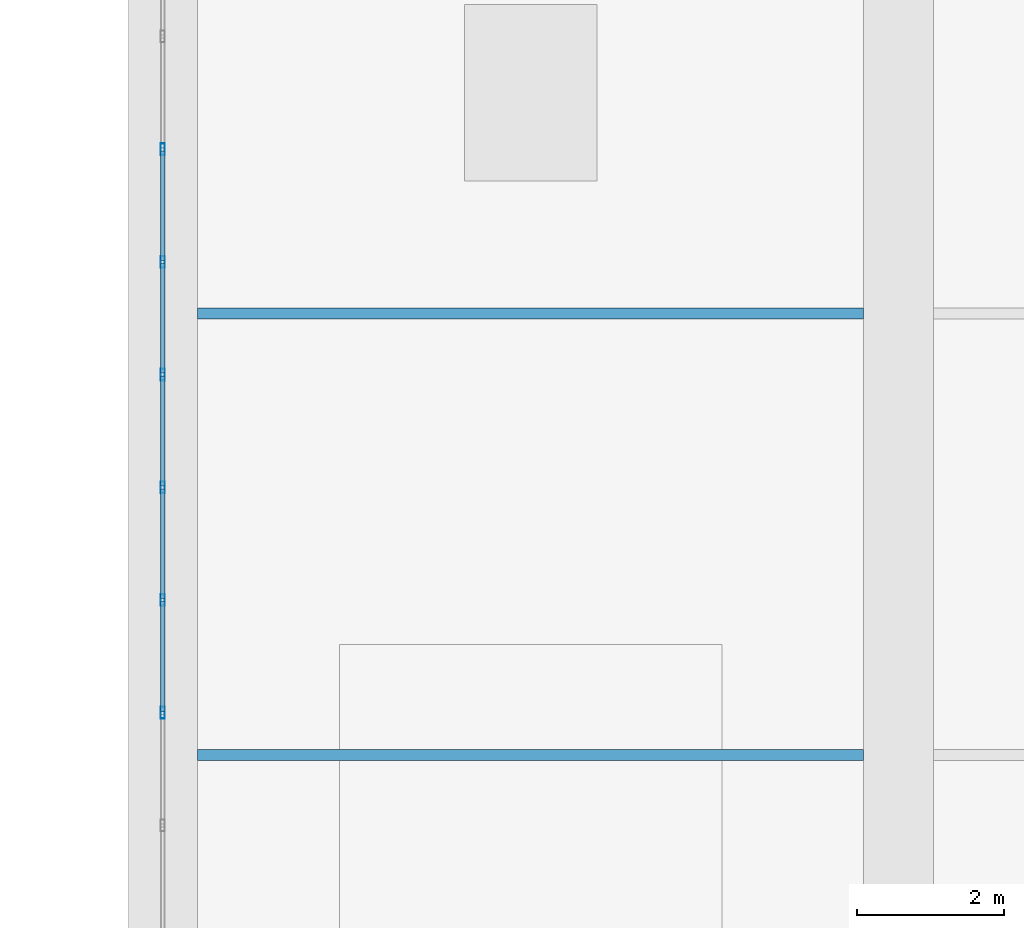
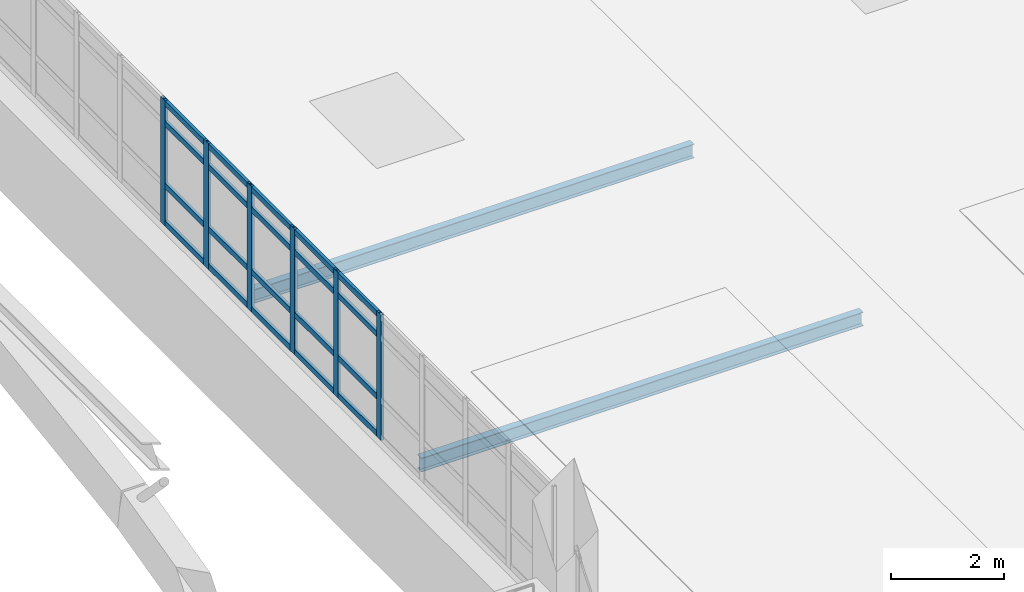
# One storey, part 43 of 161: 26 members, 2 beams, 1 element without a shape of its own.
"""IFC4 building model written with IfcOpenShell, lengths in metres."""

from ifc_helpers import new_model, si_unit, direction, frame, origin, origin_2d, place, context, subcontext, project, spatial, hollow_rectangle, i_section, extrude, material, layer, layer_set, material_profile, profile_set, type_object, element, aggregate, save


model = new_model("IFC4")

# Units and contexts
model_context = context("Model", 3, precision=1e-05, world=origin(), true_north=direction((0.0, 1.0)))
body_context = subcontext(model_context, "Body", "Model", "MODEL_VIEW")
ifc_project = project(units=[si_unit("LENGTHUNIT", "METRE"), si_unit("AREAUNIT", "SQUARE_METRE"), si_unit("VOLUMEUNIT", "CUBIC_METRE"), si_unit("PLANEANGLEUNIT", "RADIAN"), si_unit("MASSUNIT", "GRAM", prefix="KILO")], contexts=[model_context])

# Site, building, storey
site_placement = place(None, origin())
site = spatial("IfcSite", under=ifc_project, at=site_placement, CompositionType="ELEMENT")
building_placement = place(site_placement, origin())
building = spatial("IfcBuilding", under=site, at=building_placement, Name="Mersad Railyard Sports Hall", CompositionType="ELEMENT")
storey_placement = place(building_placement, frame((0.0, 0.0, 4.800048828125)))
storey = spatial("IfcBuildingStorey", under=building, at=storey_placement, Name="L01", CompositionType="ELEMENT", Elevation=4.800048828125)

# Curtain wall, members
ifc_material_1 = material(Name="Aluminium 6063-T6", Category="aluminium")
ifc_layer = layer(ifc_material_1, 0.159912109375)
ifc_layer_set = layer_set([ifc_layer], Name="Aluminium 6063-T6")
curtain_wall_type = type_object("IfcCurtainWallType", Name="ARC-CW-CW05", PredefinedType="USERDEFINED", material=ifc_layer_set)
curtain_wall_placement = place(storey_placement, origin())
curtain_wall = element("IfcCurtainWall", 1, at=curtain_wall_placement, inside=storey, type_object=curtain_wall_type, Name="Curtain wall CW05-0027", ObjectType="CURTAIN WALL", PredefinedType="USERDEFINED")
ifc_material_profile_1 = material_profile(ifc_material_1, hollow_rectangle(XDim=0.06005859375, YDim=0.159912109375, WallThickness=0.00390625, at=origin_2d()), Name="AL MULLION 60x160x4")
ifc_profile_set_1 = profile_set([ifc_material_profile_1], Name="Aluminium 6063-T6")
member_type_1 = type_object("IfcMemberType", Name="ARC-CW-MUL01", PredefinedType="MULLION", material=ifc_profile_set_1)
member_1_placement = place(storey_placement, frame((91.0, 27.73388671875, -0.02001953125), z_axis=(0.0, 0.0, 1.0), x_axis=(1.0, 0.0, 0.0)))
member_1 = element("IfcMember", 2, at=member_1_placement, type_object=member_type_1, Name="CW05 Mullion 11", PredefinedType="MULLION", context=body_context, shape_type="SweptSolid", body=[
    extrude(hollow_rectangle(XDim=0.06005859375, YDim=0.159912109375, WallThickness=0.00390625, at=origin_2d()), origin(), (0.0, 0.0, 1.0), 2.719970703125),
])
member_2_placement = place(storey_placement, frame((91.0, 26.201904296875, -0.02001953125), z_axis=(0.0, 0.0, 1.0), x_axis=(1.0, 0.0, 0.0)))
member_2 = element("IfcMember", 3, at=member_2_placement, type_object=member_type_1, Name="CW05 Mullion 12", PredefinedType="MULLION", context=body_context, shape_type="SweptSolid", body=[
    extrude(hollow_rectangle(XDim=0.06005859375, YDim=0.159912109375, WallThickness=0.00390625, at=origin_2d()), origin(), (0.0, 0.0, 1.0), 2.719970703125),
])
member_3_placement = place(storey_placement, frame((91.0, 24.669677734375, -0.02001953125), z_axis=(0.0, 0.0, 1.0), x_axis=(1.0, 0.0, 0.0)))
member_3 = element("IfcMember", 4, at=member_3_placement, type_object=member_type_1, Name="CW05 Mullion 13", PredefinedType="MULLION", context=body_context, shape_type="SweptSolid", body=[
    extrude(hollow_rectangle(XDim=0.06005859375, YDim=0.159912109375, WallThickness=0.00390625, at=origin_2d()), origin(), (0.0, 0.0, 1.0), 2.719970703125),
])
member_4_placement = place(storey_placement, frame((91.0, 23.1376953125, -0.02001953125), z_axis=(0.0, 0.0, 1.0), x_axis=(1.0, 0.0, 0.0)))
member_4 = element("IfcMember", 5, at=member_4_placement, type_object=member_type_1, Name="CW05 Mullion 14", PredefinedType="MULLION", context=body_context, shape_type="SweptSolid", body=[
    extrude(hollow_rectangle(XDim=0.06005859375, YDim=0.159912109375, WallThickness=0.00390625, at=origin_2d()), origin(), (0.0, 0.0, 1.0), 2.719970703125),
])
member_5_placement = place(storey_placement, frame((91.0, 21.60546875, -0.02001953125), z_axis=(0.0, 0.0, 1.0), x_axis=(1.0, 0.0, 0.0)))
member_5 = element("IfcMember", 6, at=member_5_placement, type_object=member_type_1, Name="CW05 Mullion 15", PredefinedType="MULLION", context=body_context, shape_type="SweptSolid", body=[
    extrude(hollow_rectangle(XDim=0.06005859375, YDim=0.159912109375, WallThickness=0.00390625, at=origin_2d()), origin(), (0.0, 0.0, 1.0), 2.719970703125),
])
member_6_placement = place(storey_placement, frame((91.0, 20.073486328125, -0.02001953125), z_axis=(0.0, 0.0, 1.0), x_axis=(1.0, 0.0, 0.0)))
member_6 = element("IfcMember", 7, at=member_6_placement, type_object=member_type_1, Name="CW05 Mullion 16", PredefinedType="MULLION", context=body_context, shape_type="SweptSolid", body=[
    extrude(hollow_rectangle(XDim=0.06005859375, YDim=0.159912109375, WallThickness=0.00390625, at=origin_2d()), origin(), (0.0, 0.0, 1.0), 2.719970703125),
])
ifc_material_profile_2 = material_profile(ifc_material_1, hollow_rectangle(XDim=0.06005859375, YDim=0.1201171875, WallThickness=0.00390625, at=origin_2d()), Name="AL TRANSOM 60x120x4")
ifc_profile_set_2 = profile_set([ifc_material_profile_2], Name="Aluminium 6063-T6")
member_type_2 = type_object("IfcMemberType", Name="ARC-CW-TRN01", PredefinedType="USERDEFINED", material=ifc_profile_set_2)
member_7_placement = place(storey_placement, frame((91.0, 27.7138671875, 0.0400390625), z_axis=(0.0, -1.0, 0.0), x_axis=(1.0, 0.0, 0.0)))
member_7 = element("IfcMember", 8, at=member_7_placement, type_object=member_type_2, Name="CW05 Transom 1-11", ObjectType="TRANSOM", PredefinedType="USERDEFINED", context=body_context, shape_type="SweptSolid", body=[
    extrude(hollow_rectangle(XDim=0.06005859375, YDim=0.1201171875, WallThickness=0.00390625, at=origin_2d()), origin(), (0.0, 0.0, 1.0), 1.491943359375),
])
member_8_placement = place(storey_placement, frame((91.0, 26.181884765625, 0.0400390625), z_axis=(0.0, -1.0, 0.0), x_axis=(1.0, 0.0, 0.0)))
member_8 = element("IfcMember", 9, at=member_8_placement, type_object=member_type_2, Name="CW05 Transom 1-12", ObjectType="TRANSOM", PredefinedType="USERDEFINED", context=body_context, shape_type="SweptSolid", body=[
    extrude(hollow_rectangle(XDim=0.06005859375, YDim=0.1201171875, WallThickness=0.00390625, at=origin_2d()), origin(), (0.0, 0.0, 1.0), 1.4921875),
])
member_9_placement = place(storey_placement, frame((91.0, 24.649658203125, 0.0400390625), z_axis=(0.0, -1.0, 0.0), x_axis=(1.0, 0.0, 0.0)))
member_9 = element("IfcMember", 10, at=member_9_placement, type_object=member_type_2, Name="CW05 Transom 1-13", ObjectType="TRANSOM", PredefinedType="USERDEFINED", context=body_context, shape_type="SweptSolid", body=[
    extrude(hollow_rectangle(XDim=0.06005859375, YDim=0.1201171875, WallThickness=0.00390625, at=origin_2d()), origin(), (0.0, 0.0, 1.0), 1.491943359375),
])
member_10_placement = place(storey_placement, frame((91.0, 23.11767578125, 0.0400390625), z_axis=(0.0, -1.0, 0.0), x_axis=(1.0, 0.0, 0.0)))
member_10 = element("IfcMember", 11, at=member_10_placement, type_object=member_type_2, Name="CW05 Transom 1-14", ObjectType="TRANSOM", PredefinedType="USERDEFINED", context=body_context, shape_type="SweptSolid", body=[
    extrude(hollow_rectangle(XDim=0.06005859375, YDim=0.1201171875, WallThickness=0.00390625, at=origin_2d()), origin(), (0.0, 0.0, 1.0), 1.4921875),
])
member_11_placement = place(storey_placement, frame((91.0, 21.58544921875, 0.0400390625), z_axis=(0.0, -1.0, 0.0), x_axis=(1.0, 0.0, 0.0)))
member_11 = element("IfcMember", 12, at=member_11_placement, type_object=member_type_2, Name="CW05 Transom 1-15", ObjectType="TRANSOM", PredefinedType="USERDEFINED", context=body_context, shape_type="SweptSolid", body=[
    extrude(hollow_rectangle(XDim=0.06005859375, YDim=0.1201171875, WallThickness=0.00390625, at=origin_2d()), origin(), (0.0, 0.0, 1.0), 1.491943359375),
])
member_12_placement = place(storey_placement, frame((91.0, 27.7138671875, 0.849853515625), z_axis=(0.0, -1.0, 0.0), x_axis=(1.0, 0.0, 0.0)))
member_12 = element("IfcMember", 13, at=member_12_placement, type_object=member_type_2, Name="CW05 Transom 2-11", ObjectType="TRANSOM", PredefinedType="USERDEFINED", context=body_context, shape_type="SweptSolid", body=[
    extrude(hollow_rectangle(XDim=0.06005859375, YDim=0.1201171875, WallThickness=0.00390625, at=origin_2d()), origin(), (0.0, 0.0, 1.0), 1.491943359375),
])
member_13_placement = place(storey_placement, frame((91.0, 26.181884765625, 0.849853515625), z_axis=(0.0, -1.0, 0.0), x_axis=(1.0, 0.0, 0.0)))
member_13 = element("IfcMember", 14, at=member_13_placement, type_object=member_type_2, Name="CW05 Transom 2-12", ObjectType="TRANSOM", PredefinedType="USERDEFINED", context=body_context, shape_type="SweptSolid", body=[
    extrude(hollow_rectangle(XDim=0.06005859375, YDim=0.1201171875, WallThickness=0.00390625, at=origin_2d()), origin(), (0.0, 0.0, 1.0), 1.4921875),
])
member_14_placement = place(storey_placement, frame((91.0, 24.649658203125, 0.849853515625), z_axis=(0.0, -1.0, 0.0), x_axis=(1.0, 0.0, 0.0)))
member_14 = element("IfcMember", 15, at=member_14_placement, type_object=member_type_2, Name="CW05 Transom 2-13", ObjectType="TRANSOM", PredefinedType="USERDEFINED", context=body_context, shape_type="SweptSolid", body=[
    extrude(hollow_rectangle(XDim=0.06005859375, YDim=0.1201171875, WallThickness=0.00390625, at=origin_2d()), origin(), (0.0, 0.0, 1.0), 1.491943359375),
])
member_15_placement = place(storey_placement, frame((91.0, 23.11767578125, 0.849853515625), z_axis=(0.0, -1.0, 0.0), x_axis=(1.0, 0.0, 0.0)))
member_15 = element("IfcMember", 16, at=member_15_placement, type_object=member_type_2, Name="CW05 Transom 2-14", ObjectType="TRANSOM", PredefinedType="USERDEFINED", context=body_context, shape_type="SweptSolid", body=[
    extrude(hollow_rectangle(XDim=0.06005859375, YDim=0.1201171875, WallThickness=0.00390625, at=origin_2d()), origin(), (0.0, 0.0, 1.0), 1.4921875),
])
member_16_placement = place(storey_placement, frame((91.0, 21.58544921875, 0.849853515625), z_axis=(0.0, -1.0, 0.0), x_axis=(1.0, 0.0, 0.0)))
member_16 = element("IfcMember", 17, at=member_16_placement, type_object=member_type_2, Name="CW05 Transom 2-15", ObjectType="TRANSOM", PredefinedType="USERDEFINED", context=body_context, shape_type="SweptSolid", body=[
    extrude(hollow_rectangle(XDim=0.06005859375, YDim=0.1201171875, WallThickness=0.00390625, at=origin_2d()), origin(), (0.0, 0.0, 1.0), 1.491943359375),
])
member_17_placement = place(storey_placement, frame((91.0, 27.7138671875, 2.199951171875), z_axis=(0.0, -1.0, 0.0), x_axis=(1.0, 0.0, 0.0)))
member_17 = element("IfcMember", 18, at=member_17_placement, type_object=member_type_2, Name="CW05 Transom 3-11", ObjectType="TRANSOM", PredefinedType="USERDEFINED", context=body_context, shape_type="SweptSolid", body=[
    extrude(hollow_rectangle(XDim=0.06005859375, YDim=0.1201171875, WallThickness=0.00390625, at=origin_2d()), origin(), (0.0, 0.0, 1.0), 1.491943359375),
])
member_18_placement = place(storey_placement, frame((91.0, 26.181884765625, 2.199951171875), z_axis=(0.0, -1.0, 0.0), x_axis=(1.0, 0.0, 0.0)))
member_18 = element("IfcMember", 19, at=member_18_placement, type_object=member_type_2, Name="CW05 Transom 3-12", ObjectType="TRANSOM", PredefinedType="USERDEFINED", context=body_context, shape_type="SweptSolid", body=[
    extrude(hollow_rectangle(XDim=0.06005859375, YDim=0.1201171875, WallThickness=0.00390625, at=origin_2d()), origin(), (0.0, 0.0, 1.0), 1.4921875),
])
member_19_placement = place(storey_placement, frame((91.0, 24.649658203125, 2.199951171875), z_axis=(0.0, -1.0, 0.0), x_axis=(1.0, 0.0, 0.0)))
member_19 = element("IfcMember", 20, at=member_19_placement, type_object=member_type_2, Name="CW05 Transom 3-13", ObjectType="TRANSOM", PredefinedType="USERDEFINED", context=body_context, shape_type="SweptSolid", body=[
    extrude(hollow_rectangle(XDim=0.06005859375, YDim=0.1201171875, WallThickness=0.00390625, at=origin_2d()), origin(), (0.0, 0.0, 1.0), 1.491943359375),
])
member_20_placement = place(storey_placement, frame((91.0, 23.11767578125, 2.199951171875), z_axis=(0.0, -1.0, 0.0), x_axis=(1.0, 0.0, 0.0)))
member_20 = element("IfcMember", 21, at=member_20_placement, type_object=member_type_2, Name="CW05 Transom 3-14", ObjectType="TRANSOM", PredefinedType="USERDEFINED", context=body_context, shape_type="SweptSolid", body=[
    extrude(hollow_rectangle(XDim=0.06005859375, YDim=0.1201171875, WallThickness=0.00390625, at=origin_2d()), origin(), (0.0, 0.0, 1.0), 1.4921875),
])
member_21_placement = place(storey_placement, frame((91.0, 21.58544921875, 2.199951171875), z_axis=(0.0, -1.0, 0.0), x_axis=(1.0, 0.0, 0.0)))
member_21 = element("IfcMember", 22, at=member_21_placement, type_object=member_type_2, Name="CW05 Transom 3-15", ObjectType="TRANSOM", PredefinedType="USERDEFINED", context=body_context, shape_type="SweptSolid", body=[
    extrude(hollow_rectangle(XDim=0.06005859375, YDim=0.1201171875, WallThickness=0.00390625, at=origin_2d()), origin(), (0.0, 0.0, 1.0), 1.491943359375),
])
member_22_placement = place(storey_placement, frame((91.0, 27.7138671875, 2.639892578125), z_axis=(0.0, -1.0, 0.0), x_axis=(1.0, 0.0, 0.0)))
member_22 = element("IfcMember", 23, at=member_22_placement, type_object=member_type_2, Name="CW05 Transom 4-11", ObjectType="TRANSOM", PredefinedType="USERDEFINED", context=body_context, shape_type="SweptSolid", body=[
    extrude(hollow_rectangle(XDim=0.06005859375, YDim=0.1201171875, WallThickness=0.00390625, at=origin_2d()), origin(), (0.0, 0.0, 1.0), 1.491943359375),
])
member_23_placement = place(storey_placement, frame((91.0, 26.181884765625, 2.639892578125), z_axis=(0.0, -1.0, 0.0), x_axis=(1.0, 0.0, 0.0)))
member_23 = element("IfcMember", 24, at=member_23_placement, type_object=member_type_2, Name="CW05 Transom 4-12", ObjectType="TRANSOM", PredefinedType="USERDEFINED", context=body_context, shape_type="SweptSolid", body=[
    extrude(hollow_rectangle(XDim=0.06005859375, YDim=0.1201171875, WallThickness=0.00390625, at=origin_2d()), origin(), (0.0, 0.0, 1.0), 1.4921875),
])
member_24_placement = place(storey_placement, frame((91.0, 24.649658203125, 2.639892578125), z_axis=(0.0, -1.0, 0.0), x_axis=(1.0, 0.0, 0.0)))
member_24 = element("IfcMember", 25, at=member_24_placement, type_object=member_type_2, Name="CW05 Transom 4-13", ObjectType="TRANSOM", PredefinedType="USERDEFINED", context=body_context, shape_type="SweptSolid", body=[
    extrude(hollow_rectangle(XDim=0.06005859375, YDim=0.1201171875, WallThickness=0.00390625, at=origin_2d()), origin(), (0.0, 0.0, 1.0), 1.491943359375),
])
member_25_placement = place(storey_placement, frame((91.0, 23.11767578125, 2.639892578125), z_axis=(0.0, -1.0, 0.0), x_axis=(1.0, 0.0, 0.0)))
member_25 = element("IfcMember", 26, at=member_25_placement, type_object=member_type_2, Name="CW05 Transom 4-14", ObjectType="TRANSOM", PredefinedType="USERDEFINED", context=body_context, shape_type="SweptSolid", body=[
    extrude(hollow_rectangle(XDim=0.06005859375, YDim=0.1201171875, WallThickness=0.00390625, at=origin_2d()), origin(), (0.0, 0.0, 1.0), 1.4921875),
])
member_26_placement = place(storey_placement, frame((91.0, 21.58544921875, 2.639892578125), z_axis=(0.0, -1.0, 0.0), x_axis=(1.0, 0.0, 0.0)))
member_26 = element("IfcMember", 27, at=member_26_placement, type_object=member_type_2, Name="CW05 Transom 4-15", ObjectType="TRANSOM", PredefinedType="USERDEFINED", context=body_context, shape_type="SweptSolid", body=[
    extrude(hollow_rectangle(XDim=0.06005859375, YDim=0.1201171875, WallThickness=0.00390625, at=origin_2d()), origin(), (0.0, 0.0, 1.0), 1.491943359375),
])
aggregate(curtain_wall, [member_1, member_2, member_3, member_4, member_5, member_6, member_7, member_8, member_9, member_10, member_11, member_12, member_13, member_14, member_15, member_16, member_17, member_18, member_19, member_20, member_21, member_22, member_23, member_24, member_25, member_26])

# Beams
ifc_material_2 = material(Name="Steel S355", Category="steel")
ifc_material_profile_3 = material_profile(ifc_material_2, i_section(OverallWidth=0.14990234375, OverallDepth=0.300048828125, WebThickness=0.007080078125, FlangeThickness=0.0107421875, at=origin_2d()), Name="IPE 300")
ifc_profile_set_3 = profile_set([ifc_material_profile_3], Name="Steel S355")
beam_type = type_object("IfcBeamType", Name="STR-BM-J02", PredefinedType="JOIST", material=ifc_profile_set_3)
for number, where, z_axis, x_axis, name in (
    (28, (91.47509765625, 19.5, -0.380126953125), (1.0, 0.0, 0.0), (0.0, 1.0, 0.0), "Beam J02-0605"),
    (29, (91.47509765625, 25.5, -0.380126953125), (1.0, 0.0, 0.0), (0.0, 1.0, 0.0), "Beam J02-0606"),
):
    element("IfcBeam", number, at=place(storey_placement, frame(where, z_axis=z_axis, x_axis=x_axis)), inside=storey, type_object=beam_type, Name=name, PredefinedType="JOIST", context=body_context, shape_type="SweptSolid", body=[
        extrude(i_section(OverallWidth=0.14990234375, OverallDepth=0.300048828125, WebThickness=0.007080078125, FlangeThickness=0.0107421875, at=origin_2d()), origin(), (0.0, 0.0, 1.0), 9.0498046875),
    ])

save(model, "model.ifc")
